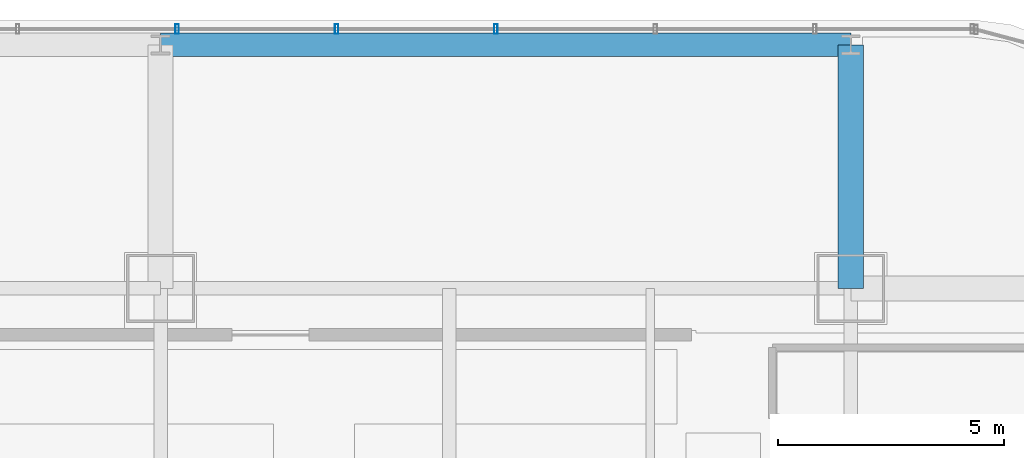
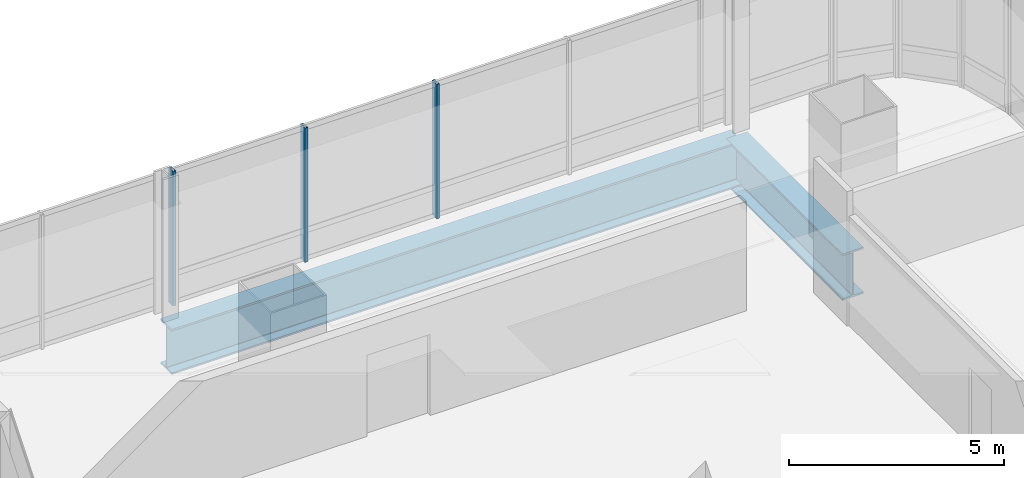
# One storey, part 23 of 34: 3 members, 2 beams, 1 element without a shape of its own.
"""IFC4 building model written with IfcOpenShell, lengths in metres."""

from ifc_helpers import new_model, si_unit, direction, frame, origin, origin_2d, place, context, subcontext, project, spatial, hollow_rectangle, i_section, extrude, material, material_profile, profile_set, type_object, element, aggregate, save


model = new_model("IFC4")

# Units and contexts
model_context = context("Model", 3, precision=1e-05, world=origin(), true_north=direction((0.0, 1.0)))
body_context = subcontext(model_context, "Body", "Model", "MODEL_VIEW")
ifc_project = project(units=[si_unit("LENGTHUNIT", "METRE"), si_unit("AREAUNIT", "SQUARE_METRE"), si_unit("VOLUMEUNIT", "CUBIC_METRE"), si_unit("PLANEANGLEUNIT", "RADIAN"), si_unit("MASSUNIT", "GRAM", prefix="KILO")], contexts=[model_context])

# Site, building, storey
site_placement = place(None, origin())
site = spatial("IfcSite", under=ifc_project, at=site_placement, CompositionType="ELEMENT")
building_placement = place(site_placement, origin())
building = spatial("IfcBuilding", under=site, at=building_placement, Name="Punatoya Terracotta Tower", CompositionType="ELEMENT")
storey_placement = place(building_placement, frame((0.0, 0.0, 97.050048828125)))
storey = spatial("IfcBuildingStorey", under=building, at=storey_placement, Name="L22", CompositionType="ELEMENT", Elevation=97.050048828125)

# Beams
ifc_material_1 = material(Name="Steel S460", Category="steel")
ifc_material_profile_1 = material_profile(ifc_material_1, i_section(OverallWidth=0.56005859375, OverallDepth=1.320068359375, WebThickness=0.035888671875, FlangeThickness=0.054931640625, FilletRadius=0.01806640625, at=origin_2d()))
ifc_profile_set_1 = profile_set([ifc_material_profile_1], Name="Steel S460")
beam_type_1 = type_object("IfcBeamType", Name="BM-TG-BLK", PredefinedType="BEAM", material=ifc_profile_set_1)
beam_1_placement = place(storey_placement, frame((19.10009765625, 17.5, -0.900146484375), z_axis=(0.0, 1.0, 0.0), x_axis=(-1.0, 0.0, 0.0)))
element("IfcBeam", 1, at=beam_1_placement, inside=storey, type_object=beam_type_1, Name="BM-L22-CANT-N4", PredefinedType="BEAM", context=body_context, shape_type="SweptSolid", body=[
    extrude(i_section(OverallWidth=0.56005859375, OverallDepth=1.320068359375, WebThickness=0.035888671875, FlangeThickness=0.054931640625, FilletRadius=0.01806640625, at=origin_2d()), origin(), (0.0, 0.0, 1.0), 5.39990234375),
])
ifc_material_profile_2 = material_profile(ifc_material_1, i_section(OverallWidth=0.52001953125, OverallDepth=1.280029296875, WebThickness=0.031982421875, FlangeThickness=0.050048828125, FilletRadius=0.01806640625, at=origin_2d()))
ifc_profile_set_2 = profile_set([ifc_material_profile_2], Name="Steel S460")
beam_type_2 = type_object("IfcBeamType", Name="BM-TG-NCK", PredefinedType="BEAM", material=ifc_profile_set_2)
beam_2_placement = place(storey_placement, frame((3.800048828125, 22.89990234375, -0.880126953125), z_axis=(1.0, 0.0, 0.0), x_axis=(0.0, 1.0, 0.0)))
element("IfcBeam", 2, at=beam_2_placement, inside=storey, type_object=beam_type_2, Name="BM-L22-PER-N3", PredefinedType="BEAM", context=body_context, shape_type="SweptSolid", body=[
    extrude(i_section(OverallWidth=0.52001953125, OverallDepth=1.280029296875, WebThickness=0.031982421875, FlangeThickness=0.050048828125, FilletRadius=0.01806640625, at=origin_2d()), origin(), (0.0, 0.0, 1.0), 15.300048828125),
])

# Curtain wall, members
ifc_material_2 = material(Name="Aluminium 6063-T6 + Double Low-E Glass", Category="aluminium")
curtain_wall_type = type_object("IfcCurtainWallType", Name="CW-M1", PredefinedType="NOTDEFINED", material=ifc_material_2)
curtain_wall_placement = place(storey_placement, origin())
curtain_wall = element("IfcCurtainWall", 3, at=curtain_wall_placement, inside=storey, type_object=curtain_wall_type, Name="L22 Curtain Wall CW-L22-N09-1", PredefinedType="NOTDEFINED")
ifc_material_3 = material(Name="Aluminium 6063-T6", Category="aluminium")
ifc_material_profile_3 = material_profile(ifc_material_3, hollow_rectangle(XDim=0.074951171875, YDim=0.2099609375, WallThickness=0.00439453125, at=origin_2d()))
ifc_profile_set_3 = profile_set([ifc_material_profile_3], Name="Aluminium 6063-T6")
member_type = type_object("IfcMemberType", Name="CW-MUL-M1", PredefinedType="MULLION", material=ifc_profile_set_3)
member_1_placement = place(storey_placement, frame((11.235107421875, 23.25, 0.0), z_axis=(0.0, 0.0, 1.0), x_axis=(1.0, 0.0, 0.0)))
member_1 = element("IfcMember", 4, at=member_1_placement, type_object=member_type, Name="CW-L22-N09-1 Mullion 03", PredefinedType="MULLION", context=body_context, shape_type="SweptSolid", body=[
    extrude(hollow_rectangle(XDim=0.074951171875, YDim=0.2099609375, WallThickness=0.00439453125, at=origin_2d()), origin(), (0.0, 0.0, 1.0), 3.81005859375),
])
member_2_placement = place(storey_placement, frame((7.700927734375, 23.25, 0.0), z_axis=(0.0, 0.0, 1.0), x_axis=(1.0, 0.0, 0.0)))
member_2 = element("IfcMember", 5, at=member_2_placement, type_object=member_type, Name="CW-L22-N09-1 Mullion 04", PredefinedType="MULLION", context=body_context, shape_type="SweptSolid", body=[
    extrude(hollow_rectangle(XDim=0.074951171875, YDim=0.2099609375, WallThickness=0.00439453125, at=origin_2d()), origin(), (0.0, 0.0, 1.0), 3.81005859375),
])
member_3_placement = place(storey_placement, frame((4.1669921875, 23.25, 0.0), z_axis=(0.0, 0.0, 1.0), x_axis=(1.0, 0.0, 0.0)))
member_3 = element("IfcMember", 6, at=member_3_placement, type_object=member_type, Name="CW-L22-N09-1 Mullion 05", PredefinedType="MULLION", context=body_context, shape_type="SweptSolid", body=[
    extrude(hollow_rectangle(XDim=0.074951171875, YDim=0.2099609375, WallThickness=0.00439453125, at=origin_2d()), origin(), (0.0, 0.0, 1.0), 3.81005859375),
])
aggregate(curtain_wall, [member_1, member_2, member_3])

save(model, "model.ifc")
